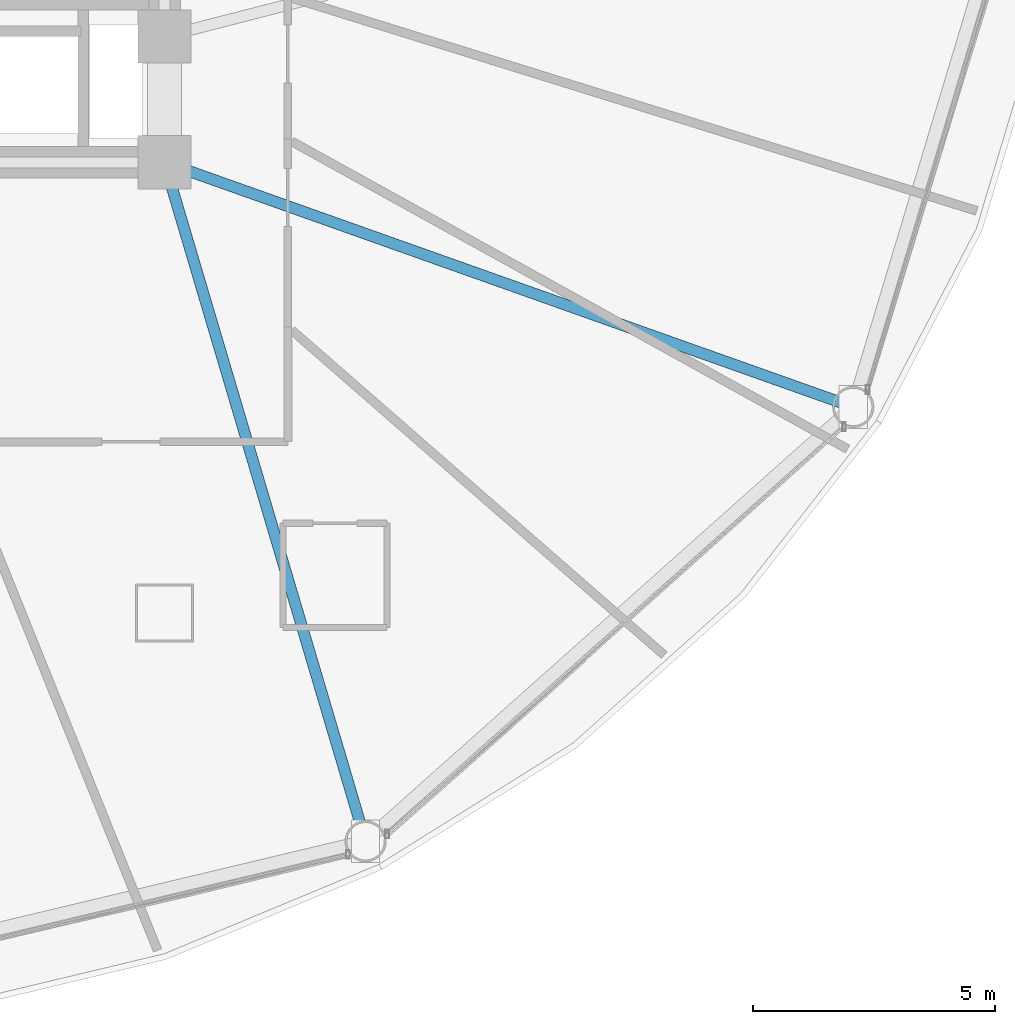
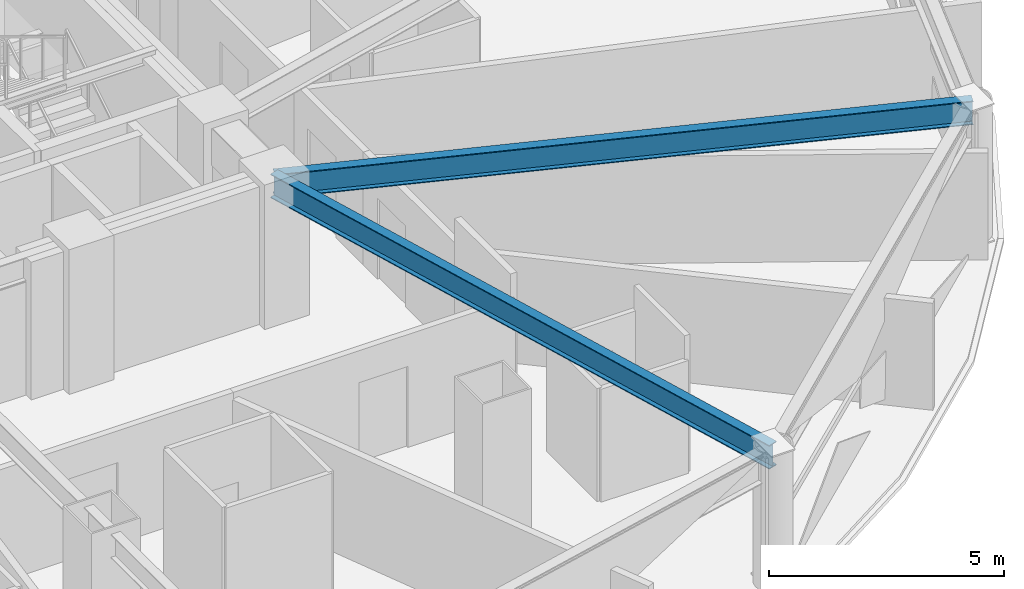
# One storey, part 9 of 30: 2 beams.
"""IFC4 building model written with IfcOpenShell, lengths in metres."""

from ifc_helpers import new_model, si_unit, direction, frame, origin, origin_2d, place, context, subcontext, project, spatial, i_section, extrude, material, material_profile, profile_set, type_object, element, save


model = new_model("IFC4")

# Units and contexts
model_context = context("Model", 3, precision=1e-05, world=origin(), true_north=direction((0.0, 1.0)))
body_context = subcontext(model_context, "Body", "Model", "MODEL_VIEW")
ifc_project = project(units=[si_unit("LENGTHUNIT", "METRE"), si_unit("AREAUNIT", "SQUARE_METRE"), si_unit("VOLUMEUNIT", "CUBIC_METRE"), si_unit("PLANEANGLEUNIT", "RADIAN"), si_unit("MASSUNIT", "GRAM", prefix="KILO")], contexts=[model_context])

# Site, building, storey
site_placement = place(None, origin())
site = spatial("IfcSite", under=ifc_project, at=site_placement, CompositionType="ELEMENT")
building_placement = place(site_placement, origin())
building = spatial("IfcBuilding", under=site, at=building_placement, Name="Vantalir Tower", CompositionType="ELEMENT")
storey_placement = place(building_placement, frame((0.0, 0.0, 83.25)))
storey = spatial("IfcBuildingStorey", under=building, at=storey_placement, Name="L20", CompositionType="ELEMENT", Elevation=83.25)

# Beams
ifc_material = material(Name="Steel S355", Category="steel")
ifc_material_profile = material_profile(ifc_material, i_section(OverallWidth=0.22998046875, OverallDepth=0.616943359375, WebThickness=0.01318359375, FlangeThickness=0.022216796875, at=origin_2d()), Name="Steel S355")
ifc_profile_set = profile_set([ifc_material_profile], Name="Steel S355")
beam_type = type_object("IfcBeamType", Name="BM-RB-610x229", PredefinedType="BEAM", material=ifc_profile_set)
beam_1_placement = place(storey_placement, frame((45.25, 3.787109375, 3.261962890625), z_axis=(-0.283957507108, 0.958836865247, 0.0), x_axis=(-0.958836865247, -0.283957507108, 0.0)))
element("IfcBeam", 1, at=beam_1_placement, inside=storey, type_object=beam_type, Name="L20 Radial Floor Beam 11", PredefinedType="BEAM", context=body_context, shape_type="SweptSolid", body=[
    extrude(i_section(OverallWidth=0.22998046875, OverallDepth=0.616943359375, WebThickness=0.01318359375, FlangeThickness=0.022216796875, at=origin_2d()), origin(), (0.0, 0.0, 1.0), 14.614501953125),
])
beam_2_placement = place(storey_placement, frame((55.31591796875, 12.751953125, 3.261962890625), z_axis=(-0.942348909406, 0.334631936522, 0.0), x_axis=(-0.334631936522, -0.942348909406, 0.0)))
element("IfcBeam", 2, at=beam_2_placement, inside=storey, type_object=beam_type, Name="L20 Radial Floor Beam 12", PredefinedType="BEAM", context=body_context, shape_type="SweptSolid", body=[
    extrude(i_section(OverallWidth=0.22998046875, OverallDepth=0.616943359375, WebThickness=0.01318359375, FlangeThickness=0.022216796875, at=origin_2d()), origin(), (0.0, 0.0, 1.0), 15.08544921875),
])

save(model, "model.ifc")
